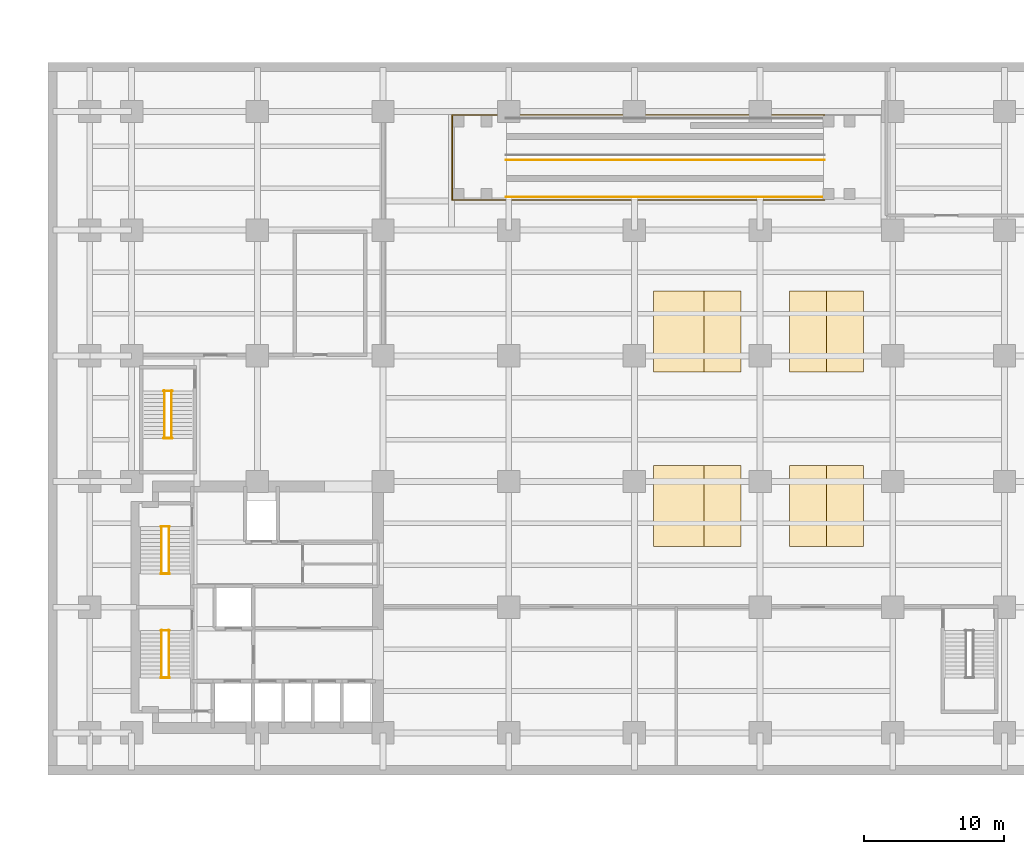
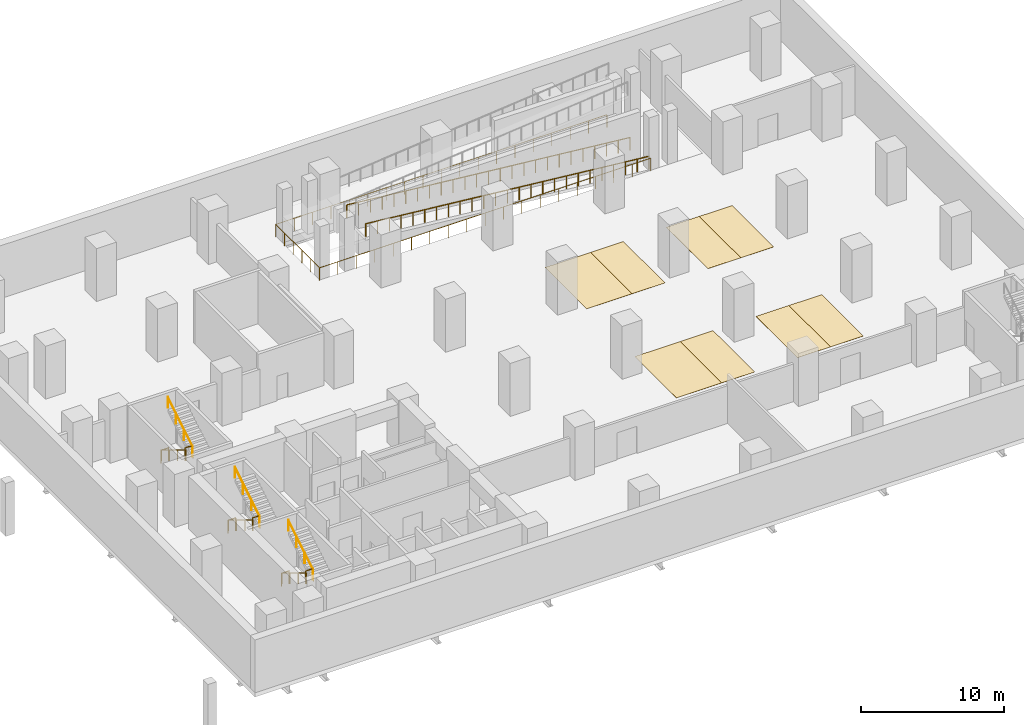
# One storey, part 9 of 10: 15 railings, 8 coverings.
"""IFC4 building model written with IfcOpenShell, lengths in metres."""

from ifc_helpers import new_model, si_unit, direction, frame, origin, origin_2d, place, context, subcontext, project, spatial, polyline, circle, outline, extrude, material, layer, layer_set, type_object, element, save


model = new_model("IFC4")

# Units and contexts
model_context = context("Model", 3, precision=1e-05, world=origin(), true_north=direction((0.0, 1.0)))
body_context = subcontext(model_context, "Body", "Model", "MODEL_VIEW")
ifc_project = project(units=[si_unit("LENGTHUNIT", "METRE"), si_unit("AREAUNIT", "SQUARE_METRE"), si_unit("VOLUMEUNIT", "CUBIC_METRE"), si_unit("PLANEANGLEUNIT", "RADIAN"), si_unit("MASSUNIT", "GRAM", prefix="KILO")], contexts=[model_context])

# Site, building, storey
site_placement = place(None, origin())
site = spatial("IfcSite", under=ifc_project, at=site_placement, CompositionType="ELEMENT")
building_placement = place(site_placement, origin())
building = spatial("IfcBuilding", under=site, at=building_placement, Name="Mawjdan Bourse Tower", CompositionType="ELEMENT")
storey_placement = place(building_placement, frame((0.0, 0.0, -9.0)))
storey = spatial("IfcBuildingStorey", under=building, at=storey_placement, Name="B02", CompositionType="ELEMENT", Elevation=-9.0)

# Coverings
ifc_material_1 = material(Name="Thermoplastic Road Marking Paint")
ifc_layer = layer(ifc_material_1, 0.010009765625)
ifc_layer_set = layer_set([ifc_layer], Name="Thermoplastic Road Marking Paint")
covering_type = type_object("IfcCoveringType", Name="COV-PRK-BAY", PredefinedType="FLOORING", material=ifc_layer_set)
covering_1_placement = place(storey_placement, origin())
element("IfcCovering", 1, at=covering_1_placement, inside=storey, type_object=covering_type, Name="B02 Accessible Parking Bay Marking A1", PredefinedType="FLOORING", context=body_context, shape_type="SweptSolid", body=[
    extrude(outline(polyline([(43.35009765625, 16.35009765625), (47.0, 16.35009765625), (47.0, 22.14990234375), (43.35009765625, 22.14990234375), (43.35009765625, 16.35009765625)])), origin(), (0.0, 0.0, 1.0), 0.010009765625),
])
covering_2_placement = place(storey_placement, origin())
element("IfcCovering", 2, at=covering_2_placement, inside=storey, type_object=covering_type, Name="B02 Parking Bay Marking 01", PredefinedType="FLOORING", context=body_context, shape_type="SweptSolid", body=[
    extrude(outline(polyline([(47.0, 16.35009765625), (49.64990234375, 16.35009765625), (49.64990234375, 22.14990234375), (47.0, 22.14990234375), (47.0, 16.35009765625)])), origin(), (0.0, 0.0, 1.0), 0.010009765625),
])
covering_3_placement = place(storey_placement, origin())
element("IfcCovering", 3, at=covering_3_placement, inside=storey, type_object=covering_type, Name="B02 Parking Bay Marking 02", PredefinedType="FLOORING", context=body_context, shape_type="SweptSolid", body=[
    extrude(outline(polyline([(53.10009765625, 16.35009765625), (55.75, 16.35009765625), (55.75, 22.14990234375), (53.10009765625, 22.14990234375), (53.10009765625, 16.35009765625)])), origin(), (0.0, 0.0, 1.0), 0.010009765625),
])
covering_4_placement = place(storey_placement, origin())
element("IfcCovering", 4, at=covering_4_placement, inside=storey, type_object=covering_type, Name="B02 Parking Bay Marking 03", PredefinedType="FLOORING", context=body_context, shape_type="SweptSolid", body=[
    extrude(outline(polyline([(55.75, 16.35009765625), (58.39990234375, 16.35009765625), (58.39990234375, 22.14990234375), (55.75, 22.14990234375), (55.75, 16.35009765625)])), origin(), (0.0, 0.0, 1.0), 0.010009765625),
])
covering_5_placement = place(storey_placement, origin())
element("IfcCovering", 5, at=covering_5_placement, inside=storey, type_object=covering_type, Name="B02 Accessible Parking Bay Marking A2", PredefinedType="FLOORING", context=body_context, shape_type="SweptSolid", body=[
    extrude(outline(polyline([(43.35009765625, 28.85009765625), (47.0, 28.85009765625), (47.0, 34.64990234375), (43.35009765625, 34.64990234375), (43.35009765625, 28.85009765625)])), origin(), (0.0, 0.0, 1.0), 0.010009765625),
])
covering_6_placement = place(storey_placement, origin())
element("IfcCovering", 6, at=covering_6_placement, inside=storey, type_object=covering_type, Name="B02 Parking Bay Marking 04", PredefinedType="FLOORING", context=body_context, shape_type="SweptSolid", body=[
    extrude(outline(polyline([(47.0, 28.85009765625), (49.64990234375, 28.85009765625), (49.64990234375, 34.64990234375), (47.0, 34.64990234375), (47.0, 28.85009765625)])), origin(), (0.0, 0.0, 1.0), 0.010009765625),
])
covering_7_placement = place(storey_placement, origin())
element("IfcCovering", 7, at=covering_7_placement, inside=storey, type_object=covering_type, Name="B02 Parking Bay Marking 05", PredefinedType="FLOORING", context=body_context, shape_type="SweptSolid", body=[
    extrude(outline(polyline([(53.10009765625, 28.85009765625), (55.75, 28.85009765625), (55.75, 34.64990234375), (53.10009765625, 34.64990234375), (53.10009765625, 28.85009765625)])), origin(), (0.0, 0.0, 1.0), 0.010009765625),
])
covering_8_placement = place(storey_placement, origin())
element("IfcCovering", 8, at=covering_8_placement, inside=storey, type_object=covering_type, Name="B02 Parking Bay Marking 06", PredefinedType="FLOORING", context=body_context, shape_type="SweptSolid", body=[
    extrude(outline(polyline([(55.75, 28.85009765625), (58.39990234375, 28.85009765625), (58.39990234375, 34.64990234375), (55.75, 34.64990234375), (55.75, 28.85009765625)])), origin(), (0.0, 0.0, 1.0), 0.010009765625),
])

# Railings
ifc_material_2 = material(Name="Structural Steel S355", Category="steel")
railing_type_1 = type_object("IfcRailingType", Name="RLG-GRD-1100", PredefinedType="GUARDRAIL", material=ifc_material_2)
for number, where, name in (
    (9, (8.090087890625, 6.949951171875, 2.25), "B02 ST1 Landing Guardrail GL-MID"),
    (10, (8.090087890625, 10.330078125, 0.0), "B02 ST1 Landing Guardrail GL-BOT"),
    (11, (8.090087890625, 14.389892578125, 2.25), "B02 ST2 Landing Guardrail GL-MID"),
    (12, (8.090087890625, 17.77001953125, 0.0), "B02 ST2 Landing Guardrail GL-BOT"),
    (13, (8.2900390625, 24.10009765625, 2.25), "B02 ST3 Landing Guardrail GL-MID"),
    (14, (8.2900390625, 27.47998046875, 0.0), "B02 ST3 Landing Guardrail GL-BOT"),
):
    element("IfcRailing", number, at=place(storey_placement, frame(where)), inside=storey, type_object=railing_type_1, Name=name, PredefinedType="GUARDRAIL", context=body_context, shape_type="SweptSolid", body=[
        extrude(circle(Radius=0.02490234375, at=origin_2d()), frame((0.0, 0.0, 1.0751953125), z_axis=(1.0, 0.0, 0.0), x_axis=(0.0, 1.0, 0.0)), (0.0, 0.0, 1.0), 0.619873046875),
        extrude(circle(Radius=0.02099609375, at=origin_2d()), origin(), (0.0, 0.0, 1.0), 1.050048828125),
        extrude(circle(Radius=0.02099609375, at=origin_2d()), frame((0.619873046875, 0.0, 0.0)), (0.0, 0.0, 1.0), 1.050048828125),
    ])
railing_1_placement = place(storey_placement, frame((55.60009765625, 41.14990234375, 0.0)))
element("IfcRailing", 15, at=railing_1_placement, inside=storey, type_object=railing_type_1, Name="B02 Ramp Void Perimeter Guardrail", PredefinedType="GUARDRAIL", context=body_context, shape_type="SweptSolid", body=[
    extrude(circle(Radius=0.02490234375, at=origin_2d()), frame((0.0, 0.0, 1.0751953125), z_axis=(-1.0, 0.0, 0.0), x_axis=(0.0, -1.0, 0.0)), (0.0, 0.0, 1.0), 26.650146484375),
    extrude(circle(Radius=0.02490234375, at=origin_2d()), frame((-26.650146484375, 0.0, 1.0751953125), z_axis=(0.0, 1.0, 0.0), x_axis=(-1.0, 0.0, 0.0)), (0.0, 0.0, 1.0), 6.10009765625),
    extrude(circle(Radius=0.02490234375, at=origin_2d()), frame((-26.650146484375, 6.10009765625, 1.0751953125), z_axis=(1.0, 0.0, 0.0), x_axis=(0.0, 1.0, 0.0)), (0.0, 0.0, 1.0), 26.650146484375),
    extrude(circle(Radius=0.02197265625, at=origin_2d()), origin(), (0.0, 0.0, 1.0), 1.050048828125),
    extrude(circle(Radius=0.02197265625, at=origin_2d()), frame((-1.48046875, 0.0, 0.0)), (0.0, 0.0, 1.0), 1.050048828125),
    extrude(circle(Radius=0.02197265625, at=origin_2d()), frame((-2.961181640625, 0.0, 0.0)), (0.0, 0.0, 1.0), 1.050048828125),
    extrude(circle(Radius=0.02197265625, at=origin_2d()), frame((-4.441650390625, 0.0, 0.0)), (0.0, 0.0, 1.0), 1.050048828125),
    extrude(circle(Radius=0.02197265625, at=origin_2d()), frame((-5.92236328125, 0.0, 0.0)), (0.0, 0.0, 1.0), 1.050048828125),
    extrude(circle(Radius=0.02197265625, at=origin_2d()), frame((-7.40283203125, 0.0, 0.0)), (0.0, 0.0, 1.0), 1.050048828125),
    extrude(circle(Radius=0.02197265625, at=origin_2d()), frame((-8.88330078125, 0.0, 0.0)), (0.0, 0.0, 1.0), 1.050048828125),
    extrude(circle(Radius=0.02197265625, at=origin_2d()), frame((-10.364013671875, 0.0, 0.0)), (0.0, 0.0, 1.0), 1.050048828125),
    extrude(circle(Radius=0.02197265625, at=origin_2d()), frame((-11.844482421875, 0.0, 0.0)), (0.0, 0.0, 1.0), 1.050048828125),
    extrude(circle(Radius=0.02197265625, at=origin_2d()), frame((-13.3251953125, 0.0, 0.0)), (0.0, 0.0, 1.0), 1.050048828125),
    extrude(circle(Radius=0.02197265625, at=origin_2d()), frame((-14.8056640625, 0.0, 0.0)), (0.0, 0.0, 1.0), 1.050048828125),
    extrude(circle(Radius=0.02197265625, at=origin_2d()), frame((-16.2861328125, 0.0, 0.0)), (0.0, 0.0, 1.0), 1.050048828125),
    extrude(circle(Radius=0.02197265625, at=origin_2d()), frame((-17.766845703125, 0.0, 0.0)), (0.0, 0.0, 1.0), 1.050048828125),
    extrude(circle(Radius=0.02197265625, at=origin_2d()), frame((-19.247314453125, 0.0, 0.0)), (0.0, 0.0, 1.0), 1.050048828125),
    extrude(circle(Radius=0.02197265625, at=origin_2d()), frame((-20.727783203125, 0.0, 0.0)), (0.0, 0.0, 1.0), 1.050048828125),
    extrude(circle(Radius=0.02197265625, at=origin_2d()), frame((-22.20849609375, 0.0, 0.0)), (0.0, 0.0, 1.0), 1.050048828125),
    extrude(circle(Radius=0.02197265625, at=origin_2d()), frame((-23.68896484375, 0.0, 0.0)), (0.0, 0.0, 1.0), 1.050048828125),
    extrude(circle(Radius=0.02197265625, at=origin_2d()), frame((-25.169677734375, 0.0, 0.0)), (0.0, 0.0, 1.0), 1.050048828125),
    extrude(circle(Radius=0.02197265625, at=origin_2d()), frame((-26.650146484375, 0.0, 0.0)), (0.0, 0.0, 1.0), 1.050048828125),
    extrude(circle(Radius=0.02197265625, at=origin_2d()), frame((-26.650146484375, 1.219970703125, 0.0)), (0.0, 0.0, 1.0), 1.050048828125),
    extrude(circle(Radius=0.02197265625, at=origin_2d()), frame((-26.650146484375, 2.43994140625, 0.0)), (0.0, 0.0, 1.0), 1.050048828125),
    extrude(circle(Radius=0.02197265625, at=origin_2d()), frame((-26.650146484375, 3.66015625, 0.0)), (0.0, 0.0, 1.0), 1.050048828125),
    extrude(circle(Radius=0.02197265625, at=origin_2d()), frame((-26.650146484375, 4.880126953125, 0.0)), (0.0, 0.0, 1.0), 1.050048828125),
    extrude(circle(Radius=0.02197265625, at=origin_2d()), frame((-26.650146484375, 6.10009765625, 0.0)), (0.0, 0.0, 1.0), 1.050048828125),
    extrude(circle(Radius=0.02197265625, at=origin_2d()), frame((-25.169677734375, 6.10009765625, 0.0)), (0.0, 0.0, 1.0), 1.050048828125),
    extrude(circle(Radius=0.02197265625, at=origin_2d()), frame((-23.68896484375, 6.10009765625, 0.0)), (0.0, 0.0, 1.0), 1.050048828125),
    extrude(circle(Radius=0.02197265625, at=origin_2d()), frame((-22.20849609375, 6.10009765625, 0.0)), (0.0, 0.0, 1.0), 1.050048828125),
    extrude(circle(Radius=0.02197265625, at=origin_2d()), frame((-20.727783203125, 6.10009765625, 0.0)), (0.0, 0.0, 1.0), 1.050048828125),
    extrude(circle(Radius=0.02197265625, at=origin_2d()), frame((-19.247314453125, 6.10009765625, 0.0)), (0.0, 0.0, 1.0), 1.050048828125),
    extrude(circle(Radius=0.02197265625, at=origin_2d()), frame((-17.766845703125, 6.10009765625, 0.0)), (0.0, 0.0, 1.0), 1.050048828125),
    extrude(circle(Radius=0.02197265625, at=origin_2d()), frame((-16.2861328125, 6.10009765625, 0.0)), (0.0, 0.0, 1.0), 1.050048828125),
    extrude(circle(Radius=0.02197265625, at=origin_2d()), frame((-14.8056640625, 6.10009765625, 0.0)), (0.0, 0.0, 1.0), 1.050048828125),
    extrude(circle(Radius=0.02197265625, at=origin_2d()), frame((-13.3251953125, 6.10009765625, 0.0)), (0.0, 0.0, 1.0), 1.050048828125),
    extrude(circle(Radius=0.02197265625, at=origin_2d()), frame((-11.844482421875, 6.10009765625, 0.0)), (0.0, 0.0, 1.0), 1.050048828125),
    extrude(circle(Radius=0.02197265625, at=origin_2d()), frame((-10.364013671875, 6.10009765625, 0.0)), (0.0, 0.0, 1.0), 1.050048828125),
    extrude(circle(Radius=0.02197265625, at=origin_2d()), frame((-8.88330078125, 6.10009765625, 0.0)), (0.0, 0.0, 1.0), 1.050048828125),
    extrude(circle(Radius=0.02197265625, at=origin_2d()), frame((-7.40283203125, 6.10009765625, 0.0)), (0.0, 0.0, 1.0), 1.050048828125),
    extrude(circle(Radius=0.02197265625, at=origin_2d()), frame((-5.92236328125, 6.10009765625, 0.0)), (0.0, 0.0, 1.0), 1.050048828125),
    extrude(circle(Radius=0.02197265625, at=origin_2d()), frame((-4.441650390625, 6.10009765625, 0.0)), (0.0, 0.0, 1.0), 1.050048828125),
    extrude(circle(Radius=0.02197265625, at=origin_2d()), frame((-2.961181640625, 6.10009765625, 0.0)), (0.0, 0.0, 1.0), 1.050048828125),
    extrude(circle(Radius=0.02197265625, at=origin_2d()), frame((-1.48046875, 6.10009765625, 0.0)), (0.0, 0.0, 1.0), 1.050048828125),
    extrude(circle(Radius=0.02197265625, at=origin_2d()), frame((0.0, 6.10009765625, 0.0)), (0.0, 0.0, 1.0), 1.050048828125),
])
railing_2_placement = place(storey_placement, frame((55.60009765625, 41.3798828125, 0.0048828125)))
element("IfcRailing", 16, at=railing_2_placement, inside=storey, type_object=railing_type_1, Name="B02 Vehicle Ramp Flight 1 South Guardrail", PredefinedType="GUARDRAIL", context=body_context, shape_type="SweptSolid", body=[
    extrude(circle(Radius=0.02490234375, at=origin_2d()), frame((0.0, 0.0, 1.09521484375), z_axis=(-0.995207888393, 0.0, 0.097781689908), x_axis=(0.0, -1.0, 0.0)), (0.0, 0.0, 1.0), 2.86376953125),
    extrude(circle(Radius=0.02490234375, at=origin_2d()), frame((-2.85009765625, 0.0, 1.375), z_axis=(-0.995207888393, 0.0, 0.097781689908), x_axis=(0.0, -1.0, 0.0)), (0.0, 0.0, 1.0), 2.86376953125),
    extrude(circle(Radius=0.02490234375, at=origin_2d()), frame((-5.7001953125, 0.0, 1.6552734375), z_axis=(-0.995207073192, 0.0, 0.097789986546), x_axis=(0.0, -1.0, 0.0)), (0.0, 0.0, 1.0), 2.863525390625),
    extrude(circle(Radius=0.02490234375, at=origin_2d()), frame((-8.550048828125, 0.0, 1.93505859375), z_axis=(-0.995207888393, 0.0, 0.097781689908), x_axis=(0.0, -1.0, 0.0)), (0.0, 0.0, 1.0), 2.86376953125),
    extrude(circle(Radius=0.02490234375, at=origin_2d()), frame((-11.400146484375, 0.0, 2.21533203125), z_axis=(-0.995207073192, 0.0, 0.097789986546), x_axis=(0.0, -1.0, 0.0)), (0.0, 0.0, 1.0), 2.863525390625),
    extrude(circle(Radius=0.02490234375, at=origin_2d()), frame((-14.25, 0.0, 2.4951171875), z_axis=(-0.995207888393, 0.0, 0.097781689908), x_axis=(0.0, -1.0, 0.0)), (0.0, 0.0, 1.0), 2.86376953125),
    extrude(circle(Radius=0.02490234375, at=origin_2d()), frame((-17.10009765625, 0.0, 2.775390625), z_axis=(-0.995207888393, 0.0, 0.097781689908), x_axis=(0.0, -1.0, 0.0)), (0.0, 0.0, 1.0), 2.86376953125),
    extrude(circle(Radius=0.02490234375, at=origin_2d()), frame((-19.9501953125, 0.0, 3.05517578125), z_axis=(-0.995207073192, 0.0, 0.097789986546), x_axis=(0.0, -1.0, 0.0)), (0.0, 0.0, 1.0), 2.863525390625),
    extrude(circle(Radius=0.02197265625, at=origin_2d()), origin(), (0.0, 0.0, 1.0), 1.070068359375),
    extrude(circle(Radius=0.02197265625, at=origin_2d()), frame((-0.949951171875, 0.0, 0.09326171875)), (0.0, 0.0, 1.0), 1.070068359375),
    extrude(circle(Radius=0.02197265625, at=origin_2d()), frame((-1.900146484375, 0.0, 0.186767578125)), (0.0, 0.0, 1.0), 1.070068359375),
    extrude(circle(Radius=0.02197265625, at=origin_2d()), frame((-2.85009765625, 0.0, 0.280029296875)), (0.0, 0.0, 1.0), 1.070068359375),
    extrude(circle(Radius=0.02197265625, at=origin_2d()), frame((-3.800048828125, 0.0, 0.373291015625)), (0.0, 0.0, 1.0), 1.070068359375),
    extrude(circle(Radius=0.02197265625, at=origin_2d()), frame((-4.750244140625, 0.0, 0.466796875)), (0.0, 0.0, 1.0), 1.070068359375),
    extrude(circle(Radius=0.02197265625, at=origin_2d()), frame((-5.7001953125, 0.0, 0.56005859375)), (0.0, 0.0, 1.0), 1.070068359375),
    extrude(circle(Radius=0.02197265625, at=origin_2d()), frame((-6.650146484375, 0.0, 0.6533203125)), (0.0, 0.0, 1.0), 1.070068359375),
    extrude(circle(Radius=0.02197265625, at=origin_2d()), frame((-7.60009765625, 0.0, 0.746826171875)), (0.0, 0.0, 1.0), 1.070068359375),
    extrude(circle(Radius=0.02197265625, at=origin_2d()), frame((-8.550048828125, 0.0, 0.840087890625)), (0.0, 0.0, 1.0), 1.070068359375),
    extrude(circle(Radius=0.02197265625, at=origin_2d()), frame((-9.5, 0.0, 0.933349609375)), (0.0, 0.0, 1.0), 1.070068359375),
    extrude(circle(Radius=0.02197265625, at=origin_2d()), frame((-10.4501953125, 0.0, 1.02685546875)), (0.0, 0.0, 1.0), 1.070068359375),
    extrude(circle(Radius=0.02197265625, at=origin_2d()), frame((-11.400146484375, 0.0, 1.1201171875)), (0.0, 0.0, 1.0), 1.070068359375),
    extrude(circle(Radius=0.02197265625, at=origin_2d()), frame((-12.35009765625, 0.0, 1.21337890625)), (0.0, 0.0, 1.0), 1.070068359375),
    extrude(circle(Radius=0.02197265625, at=origin_2d()), frame((-13.300048828125, 0.0, 1.306884765625)), (0.0, 0.0, 1.0), 1.070068359375),
    extrude(circle(Radius=0.02197265625, at=origin_2d()), frame((-14.25, 0.0, 1.400146484375)), (0.0, 0.0, 1.0), 1.070068359375),
    extrude(circle(Radius=0.02197265625, at=origin_2d()), frame((-15.199951171875, 0.0, 1.493408203125)), (0.0, 0.0, 1.0), 1.070068359375),
    extrude(circle(Radius=0.02197265625, at=origin_2d()), frame((-16.150146484375, 0.0, 1.5869140625)), (0.0, 0.0, 1.0), 1.070068359375),
    extrude(circle(Radius=0.02197265625, at=origin_2d()), frame((-17.10009765625, 0.0, 1.68017578125)), (0.0, 0.0, 1.0), 1.070068359375),
    extrude(circle(Radius=0.02197265625, at=origin_2d()), frame((-18.050048828125, 0.0, 1.7734375)), (0.0, 0.0, 1.0), 1.070068359375),
    extrude(circle(Radius=0.02197265625, at=origin_2d()), frame((-19.000244140625, 0.0, 1.866943359375)), (0.0, 0.0, 1.0), 1.070068359375),
    extrude(circle(Radius=0.02197265625, at=origin_2d()), frame((-19.9501953125, 0.0, 1.960205078125)), (0.0, 0.0, 1.0), 1.070068359375),
    extrude(circle(Radius=0.02197265625, at=origin_2d()), frame((-20.900146484375, 0.0, 2.053466796875)), (0.0, 0.0, 1.0), 1.070068359375),
    extrude(circle(Radius=0.02197265625, at=origin_2d()), frame((-21.85009765625, 0.0, 2.14697265625)), (0.0, 0.0, 1.0), 1.070068359375),
    extrude(circle(Radius=0.02197265625, at=origin_2d()), frame((-22.800048828125, 0.0, 2.240234375)), (0.0, 0.0, 1.0), 1.070068359375),
])
railing_3_placement = place(storey_placement, frame((55.60009765625, 44.02001953125, 0.0048828125)))
element("IfcRailing", 17, at=railing_3_placement, inside=storey, type_object=railing_type_1, Name="B02 Vehicle Ramp Flight 1 North Guardrail", PredefinedType="GUARDRAIL", context=body_context, shape_type="SweptSolid", body=[
    extrude(circle(Radius=0.02490234375, at=origin_2d()), frame((0.0, 0.0, 1.09521484375), z_axis=(-0.995207888393, 0.0, 0.097781689908), x_axis=(0.0, -1.0, 0.0)), (0.0, 0.0, 1.0), 2.86376953125),
    extrude(circle(Radius=0.02490234375, at=origin_2d()), frame((-2.85009765625, 0.0, 1.375), z_axis=(-0.995207888393, 0.0, 0.097781689908), x_axis=(0.0, -1.0, 0.0)), (0.0, 0.0, 1.0), 2.86376953125),
    extrude(circle(Radius=0.02490234375, at=origin_2d()), frame((-5.7001953125, 0.0, 1.6552734375), z_axis=(-0.995207073192, 0.0, 0.097789986546), x_axis=(0.0, -1.0, 0.0)), (0.0, 0.0, 1.0), 2.863525390625),
    extrude(circle(Radius=0.02490234375, at=origin_2d()), frame((-8.550048828125, 0.0, 1.93505859375), z_axis=(-0.995207888393, 0.0, 0.097781689908), x_axis=(0.0, -1.0, 0.0)), (0.0, 0.0, 1.0), 2.86376953125),
    extrude(circle(Radius=0.02490234375, at=origin_2d()), frame((-11.400146484375, 0.0, 2.21533203125), z_axis=(-0.995207073192, 0.0, 0.097789986546), x_axis=(0.0, -1.0, 0.0)), (0.0, 0.0, 1.0), 2.863525390625),
    extrude(circle(Radius=0.02490234375, at=origin_2d()), frame((-14.25, 0.0, 2.4951171875), z_axis=(-0.995207888393, 0.0, 0.097781689908), x_axis=(0.0, -1.0, 0.0)), (0.0, 0.0, 1.0), 2.86376953125),
    extrude(circle(Radius=0.02490234375, at=origin_2d()), frame((-17.10009765625, 0.0, 2.775390625), z_axis=(-0.995207888393, 0.0, 0.097781689908), x_axis=(0.0, -1.0, 0.0)), (0.0, 0.0, 1.0), 2.86376953125),
    extrude(circle(Radius=0.02490234375, at=origin_2d()), frame((-19.9501953125, 0.0, 3.05517578125), z_axis=(-0.995207073192, 0.0, 0.097789986546), x_axis=(0.0, -1.0, 0.0)), (0.0, 0.0, 1.0), 2.863525390625),
    extrude(circle(Radius=0.02197265625, at=origin_2d()), origin(), (0.0, 0.0, 1.0), 1.070068359375),
    extrude(circle(Radius=0.02197265625, at=origin_2d()), frame((-0.949951171875, 0.0, 0.09326171875)), (0.0, 0.0, 1.0), 1.070068359375),
    extrude(circle(Radius=0.02197265625, at=origin_2d()), frame((-1.900146484375, 0.0, 0.186767578125)), (0.0, 0.0, 1.0), 1.070068359375),
    extrude(circle(Radius=0.02197265625, at=origin_2d()), frame((-2.85009765625, 0.0, 0.280029296875)), (0.0, 0.0, 1.0), 1.070068359375),
    extrude(circle(Radius=0.02197265625, at=origin_2d()), frame((-3.800048828125, 0.0, 0.373291015625)), (0.0, 0.0, 1.0), 1.070068359375),
    extrude(circle(Radius=0.02197265625, at=origin_2d()), frame((-4.750244140625, 0.0, 0.466796875)), (0.0, 0.0, 1.0), 1.070068359375),
    extrude(circle(Radius=0.02197265625, at=origin_2d()), frame((-5.7001953125, 0.0, 0.56005859375)), (0.0, 0.0, 1.0), 1.070068359375),
    extrude(circle(Radius=0.02197265625, at=origin_2d()), frame((-6.650146484375, 0.0, 0.6533203125)), (0.0, 0.0, 1.0), 1.070068359375),
    extrude(circle(Radius=0.02197265625, at=origin_2d()), frame((-7.60009765625, 0.0, 0.746826171875)), (0.0, 0.0, 1.0), 1.070068359375),
    extrude(circle(Radius=0.02197265625, at=origin_2d()), frame((-8.550048828125, 0.0, 0.840087890625)), (0.0, 0.0, 1.0), 1.070068359375),
    extrude(circle(Radius=0.02197265625, at=origin_2d()), frame((-9.5, 0.0, 0.933349609375)), (0.0, 0.0, 1.0), 1.070068359375),
    extrude(circle(Radius=0.02197265625, at=origin_2d()), frame((-10.4501953125, 0.0, 1.02685546875)), (0.0, 0.0, 1.0), 1.070068359375),
    extrude(circle(Radius=0.02197265625, at=origin_2d()), frame((-11.400146484375, 0.0, 1.1201171875)), (0.0, 0.0, 1.0), 1.070068359375),
    extrude(circle(Radius=0.02197265625, at=origin_2d()), frame((-12.35009765625, 0.0, 1.21337890625)), (0.0, 0.0, 1.0), 1.070068359375),
    extrude(circle(Radius=0.02197265625, at=origin_2d()), frame((-13.300048828125, 0.0, 1.306884765625)), (0.0, 0.0, 1.0), 1.070068359375),
    extrude(circle(Radius=0.02197265625, at=origin_2d()), frame((-14.25, 0.0, 1.400146484375)), (0.0, 0.0, 1.0), 1.070068359375),
    extrude(circle(Radius=0.02197265625, at=origin_2d()), frame((-15.199951171875, 0.0, 1.493408203125)), (0.0, 0.0, 1.0), 1.070068359375),
    extrude(circle(Radius=0.02197265625, at=origin_2d()), frame((-16.150146484375, 0.0, 1.5869140625)), (0.0, 0.0, 1.0), 1.070068359375),
    extrude(circle(Radius=0.02197265625, at=origin_2d()), frame((-17.10009765625, 0.0, 1.68017578125)), (0.0, 0.0, 1.0), 1.070068359375),
    extrude(circle(Radius=0.02197265625, at=origin_2d()), frame((-18.050048828125, 0.0, 1.7734375)), (0.0, 0.0, 1.0), 1.070068359375),
    extrude(circle(Radius=0.02197265625, at=origin_2d()), frame((-19.000244140625, 0.0, 1.866943359375)), (0.0, 0.0, 1.0), 1.070068359375),
    extrude(circle(Radius=0.02197265625, at=origin_2d()), frame((-19.9501953125, 0.0, 1.960205078125)), (0.0, 0.0, 1.0), 1.070068359375),
    extrude(circle(Radius=0.02197265625, at=origin_2d()), frame((-20.900146484375, 0.0, 2.053466796875)), (0.0, 0.0, 1.0), 1.070068359375),
    extrude(circle(Radius=0.02197265625, at=origin_2d()), frame((-21.85009765625, 0.0, 2.14697265625)), (0.0, 0.0, 1.0), 1.070068359375),
    extrude(circle(Radius=0.02197265625, at=origin_2d()), frame((-22.800048828125, 0.0, 2.240234375)), (0.0, 0.0, 1.0), 1.070068359375),
])
ifc_material_3 = material(Name="Brushed Stainless Steel", Category="steel")
railing_type_2 = type_object("IfcRailingType", Name="RLG-HND-920", PredefinedType="HANDRAIL", material=ifc_material_3)
railing_4_placement = place(storey_placement, frame((8.139892578125, 10.35009765625, 0.173095703125)))
element("IfcRailing", 18, at=railing_4_placement, inside=storey, type_object=railing_type_2, Name="B02 ST1 Flight Handrail HR1", PredefinedType="HANDRAIL", context=body_context, shape_type="SweptSolid", body=[
    extrude(circle(Radius=0.0224609375, at=origin_2d()), frame((0.0, 0.0, 0.8974609375), z_axis=(0.0, -0.854745945586, 0.519046595696), x_axis=(1.0, 0.0, 0.0)), (0.0, 0.0, 1.0), 4.00146484375),
    extrude(circle(Radius=0.01904296875, at=origin_2d()), origin(), (0.0, 0.0, 1.0), 0.875),
    extrude(circle(Radius=0.01904296875, at=origin_2d()), frame((0.0, -1.14013671875, 0.6923828125)), (0.0, 0.0, 1.0), 0.875),
    extrude(circle(Radius=0.01904296875, at=origin_2d()), frame((0.0, -2.280029296875, 1.384521484375)), (0.0, 0.0, 1.0), 0.875),
    extrude(circle(Radius=0.01904296875, at=origin_2d()), frame((0.0, -3.420166015625, 2.076904296875)), (0.0, 0.0, 1.0), 0.875),
])
railing_5_placement = place(storey_placement, frame((8.659912109375, 6.929931640625, 2.423095703125)))
element("IfcRailing", 19, at=railing_5_placement, inside=storey, type_object=railing_type_2, Name="B02 ST1 Flight Handrail HR2", PredefinedType="HANDRAIL", context=body_context, shape_type="SweptSolid", body=[
    extrude(circle(Radius=0.0224609375, at=origin_2d()), frame((0.0, 0.0, 0.8974609375), z_axis=(0.0, 0.854745945586, 0.519046595696), x_axis=(-1.0, 0.0, 0.0)), (0.0, 0.0, 1.0), 4.00146484375),
    extrude(circle(Radius=0.01904296875, at=origin_2d()), origin(), (0.0, 0.0, 1.0), 0.875),
    extrude(circle(Radius=0.01904296875, at=origin_2d()), frame((0.0, 1.14013671875, 0.6923828125)), (0.0, 0.0, 1.0), 0.875),
    extrude(circle(Radius=0.01904296875, at=origin_2d()), frame((0.0, 2.280029296875, 1.384521484375)), (0.0, 0.0, 1.0), 0.875),
    extrude(circle(Radius=0.01904296875, at=origin_2d()), frame((0.0, 3.420166015625, 2.076904296875)), (0.0, 0.0, 1.0), 0.875),
])
railing_6_placement = place(storey_placement, frame((8.139892578125, 17.7900390625, 0.173095703125)))
element("IfcRailing", 20, at=railing_6_placement, inside=storey, type_object=railing_type_2, Name="B02 ST2 Flight Handrail HR1", PredefinedType="HANDRAIL", context=body_context, shape_type="SweptSolid", body=[
    extrude(circle(Radius=0.0224609375, at=origin_2d()), frame((0.0, 0.0, 0.8974609375), z_axis=(0.0, -0.854729506542, 0.519073665916), x_axis=(1.0, 0.0, 0.0)), (0.0, 0.0, 1.0), 4.001220703125),
    extrude(circle(Radius=0.01904296875, at=origin_2d()), origin(), (0.0, 0.0, 1.0), 0.875),
    extrude(circle(Radius=0.01904296875, at=origin_2d()), frame((0.0, -1.139892578125, 0.6923828125)), (0.0, 0.0, 1.0), 0.875),
    extrude(circle(Radius=0.01904296875, at=origin_2d()), frame((0.0, -2.280029296875, 1.384521484375)), (0.0, 0.0, 1.0), 0.875),
    extrude(circle(Radius=0.01904296875, at=origin_2d()), frame((0.0, -3.419921875, 2.076904296875)), (0.0, 0.0, 1.0), 0.875),
])
railing_7_placement = place(storey_placement, frame((8.659912109375, 14.3701171875, 2.423095703125)))
element("IfcRailing", 21, at=railing_7_placement, inside=storey, type_object=railing_type_2, Name="B02 ST2 Flight Handrail HR2", PredefinedType="HANDRAIL", context=body_context, shape_type="SweptSolid", body=[
    extrude(circle(Radius=0.0224609375, at=origin_2d()), frame((0.0, 0.0, 0.8974609375), z_axis=(0.0, 0.854729506542, 0.519073665916), x_axis=(-1.0, 0.0, 0.0)), (0.0, 0.0, 1.0), 4.001220703125),
    extrude(circle(Radius=0.01904296875, at=origin_2d()), origin(), (0.0, 0.0, 1.0), 0.875),
    extrude(circle(Radius=0.01904296875, at=origin_2d()), frame((0.0, 1.139892578125, 0.6923828125)), (0.0, 0.0, 1.0), 0.875),
    extrude(circle(Radius=0.01904296875, at=origin_2d()), frame((0.0, 2.280029296875, 1.384521484375)), (0.0, 0.0, 1.0), 0.875),
    extrude(circle(Radius=0.01904296875, at=origin_2d()), frame((0.0, 3.419921875, 2.076904296875)), (0.0, 0.0, 1.0), 0.875),
])
railing_8_placement = place(storey_placement, frame((8.340087890625, 27.5, 0.173095703125)))
element("IfcRailing", 22, at=railing_8_placement, inside=storey, type_object=railing_type_2, Name="B02 ST3 Flight Handrail HR1", PredefinedType="HANDRAIL", context=body_context, shape_type="SweptSolid", body=[
    extrude(circle(Radius=0.0224609375, at=origin_2d()), frame((0.0, 0.0, 0.8974609375), z_axis=(0.0, -0.854729506542, 0.519073665916), x_axis=(1.0, 0.0, 0.0)), (0.0, 0.0, 1.0), 4.001220703125),
    extrude(circle(Radius=0.01904296875, at=origin_2d()), origin(), (0.0, 0.0, 1.0), 0.875),
    extrude(circle(Radius=0.01904296875, at=origin_2d()), frame((0.0, -1.139892578125, 0.6923828125)), (0.0, 0.0, 1.0), 0.875),
    extrude(circle(Radius=0.01904296875, at=origin_2d()), frame((0.0, -2.280029296875, 1.384521484375)), (0.0, 0.0, 1.0), 0.875),
    extrude(circle(Radius=0.01904296875, at=origin_2d()), frame((0.0, -3.419921875, 2.076904296875)), (0.0, 0.0, 1.0), 0.875),
])
railing_9_placement = place(storey_placement, frame((8.860107421875, 24.080078125, 2.423095703125)))
element("IfcRailing", 23, at=railing_9_placement, inside=storey, type_object=railing_type_2, Name="B02 ST3 Flight Handrail HR2", PredefinedType="HANDRAIL", context=body_context, shape_type="SweptSolid", body=[
    extrude(circle(Radius=0.0224609375, at=origin_2d()), frame((0.0, 0.0, 0.8974609375), z_axis=(0.0, 0.854729506542, 0.519073665916), x_axis=(-1.0, 0.0, 0.0)), (0.0, 0.0, 1.0), 4.001220703125),
    extrude(circle(Radius=0.01904296875, at=origin_2d()), origin(), (0.0, 0.0, 1.0), 0.875),
    extrude(circle(Radius=0.01904296875, at=origin_2d()), frame((0.0, 1.139892578125, 0.6923828125)), (0.0, 0.0, 1.0), 0.875),
    extrude(circle(Radius=0.01904296875, at=origin_2d()), frame((0.0, 2.280029296875, 1.384521484375)), (0.0, 0.0, 1.0), 0.875),
    extrude(circle(Radius=0.01904296875, at=origin_2d()), frame((0.0, 3.419921875, 2.076904296875)), (0.0, 0.0, 1.0), 0.875),
])

save(model, "model.ifc")
